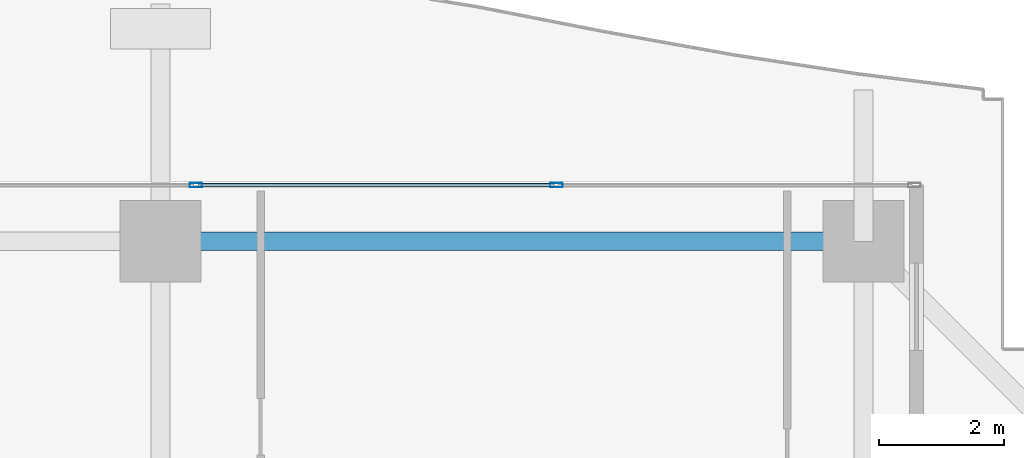
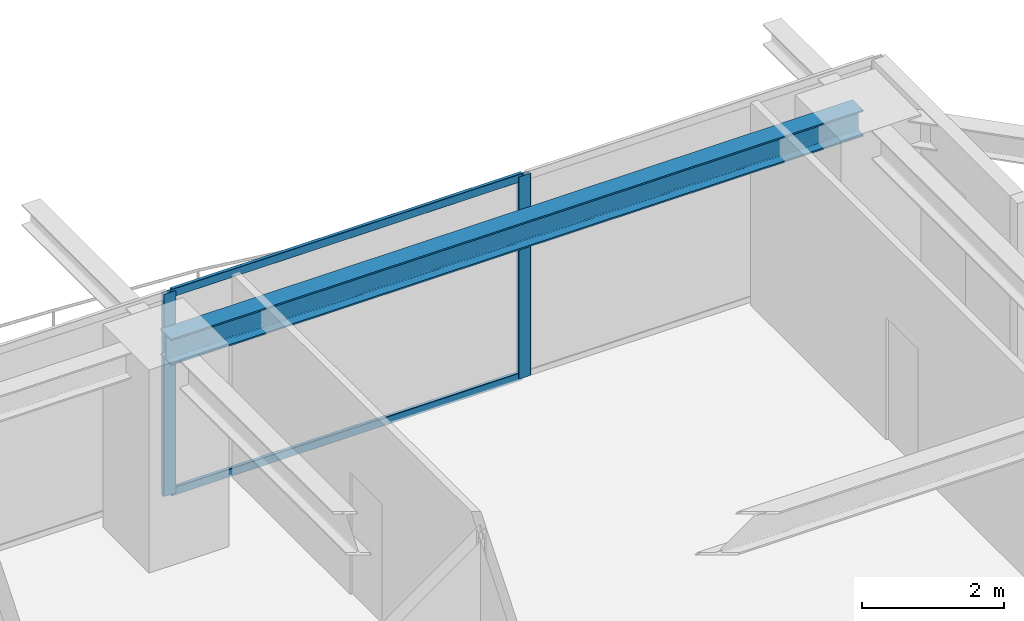
# One storey, part 23 of 38: 4 members, 1 beam, 1 element without a shape of its own.
"""IFC4 building model written with IfcOpenShell, lengths in metres."""

from ifc_helpers import new_model, si_unit, direction, frame, origin, origin_2d, place, context, subcontext, project, spatial, hollow_rectangle, i_section, extrude, source, transform, mapped, material, layer, layer_set, material_profile, profile_set, type_object, element, aggregate, save


model = new_model("IFC4")

# Units and contexts
model_context = context("Model", 3, precision=1e-05, world=origin(), true_north=direction((0.0, 1.0)))
body_context = subcontext(model_context, "Body", "Model", "MODEL_VIEW")
ifc_project = project(units=[si_unit("LENGTHUNIT", "METRE"), si_unit("AREAUNIT", "SQUARE_METRE"), si_unit("VOLUMEUNIT", "CUBIC_METRE"), si_unit("PLANEANGLEUNIT", "RADIAN"), si_unit("MASSUNIT", "GRAM", prefix="KILO")], contexts=[model_context])

# Site, building, storey
site_placement = place(None, origin())
site = spatial("IfcSite", under=ifc_project, at=site_placement, CompositionType="ELEMENT")
building_placement = place(site_placement, origin())
building = spatial("IfcBuilding", under=site, at=building_placement, Name="Serunith Strait Residences", CompositionType="ELEMENT")
storey_placement = place(building_placement, frame((0.0, 0.0, 120.14990234375)))
storey = spatial("IfcBuildingStorey", under=building, at=storey_placement, Name="L29", CompositionType="ELEMENT", Elevation=120.14990234375)

# Beam
ifc_material_1 = material(Name="Steel S355J2", Category="steel")
ifc_material_profile_1 = material_profile(ifc_material_1, i_section(OverallWidth=0.300048828125, OverallDepth=0.449951171875, WebThickness=0.013916015625, FlangeThickness=0.02587890625, FilletRadius=0.027099609375, at=origin_2d()), Name="HEB 450")
ifc_profile_set_1 = profile_set([ifc_material_profile_1], Name="Steel S355J2")
beam_type = type_object("IfcBeamType", Name="BM-HEB450", PredefinedType="BEAM", material=ifc_profile_set_1)
shared_shape_1 = source(origin(), body_context, "Body", "SweptSolid", [
    extrude(i_section(OverallWidth=0.300048828125, OverallDepth=0.449951171875, WebThickness=0.013916015625, FlangeThickness=0.02587890625, FilletRadius=0.027099609375, at=origin_2d()), origin(), (0.0, 0.0, 1.0), 11.25),
])
beam_placement = place(storey_placement, frame((48.14990234375, 48.10009765625, 3.26220703125), z_axis=(-1.0, 0.0, 0.0), x_axis=(0.0, -1.0, 0.0)))
element("IfcBeam", 1, at=beam_placement, inside=storey, type_object=beam_type, Name="L29 Perimeter Ring Beam 09", PredefinedType="BEAM", context=body_context, shape_type="MappedRepresentation", body=[
    mapped(shared_shape_1, transform((0.0, 0.0, 0.0), scale=1.0)),
])

# Curtain wall, members
ifc_material_2 = material(Name="Pale-Champagne Anodised Aluminium", Category="aluminium")
ifc_layer = layer(ifc_material_2, 0.199951171875, Name="Pale-Champagne Anodised Aluminium")
ifc_layer_set = layer_set([ifc_layer], Name="Pale-Champagne Anodised Aluminium")
curtain_wall_type = type_object("IfcCurtainWallType", Name="CW-SYS2", PredefinedType="NOTDEFINED", material=ifc_layer_set)
curtain_wall_placement = place(storey_placement, origin())
curtain_wall = element("IfcCurtainWall", 2, at=curtain_wall_placement, inside=storey, type_object=curtain_wall_type, Name="L29 N Unitised Fritted Curtain Wall", PredefinedType="NOTDEFINED")
ifc_material_profile_2 = material_profile(ifc_material_2, hollow_rectangle(XDim=0.070068359375, YDim=0.199951171875, WallThickness=0.00390625, InnerFilletRadius=0.006103515625, OuterFilletRadius=0.010009765625, at=origin_2d()), Name="ALU 200x70x4")
ifc_profile_set_2 = profile_set([ifc_material_profile_2], Name="Pale-Champagne Anodised Aluminium")
member_type_1 = type_object("IfcMemberType", Name="CW-SYS2-MULL", PredefinedType="MULLION", material=ifc_profile_set_2)
shared_shape_2 = source(origin(), body_context, "Body", "SweptSolid", [
    extrude(hollow_rectangle(XDim=0.070068359375, YDim=0.199951171875, WallThickness=0.00390625, InnerFilletRadius=0.006103515625, OuterFilletRadius=0.010009765625, at=origin_2d()), origin(), (0.0, 0.0, 1.0), 3.47509765625),
])
member_1_placement = place(storey_placement, frame((43.2333984375, 49.0, 0.0), z_axis=(0.0, 0.0, 1.0), x_axis=(0.0, -1.0, 0.0)))
member_1 = element("IfcMember", 3, at=member_1_placement, type_object=member_type_1, Name="CW-2 mullion 2", PredefinedType="MULLION", context=body_context, shape_type="MappedRepresentation", body=[
    mapped(shared_shape_2, transform((0.0, 0.0, 0.0), scale=1.0)),
])
member_2_placement = place(storey_placement, frame((37.466552734375, 49.0, 0.0), z_axis=(0.0, 0.0, 1.0), x_axis=(0.0, -1.0, 0.0)))
member_2 = element("IfcMember", 4, at=member_2_placement, type_object=member_type_1, Name="CW-2 mullion 3", PredefinedType="MULLION", context=body_context, shape_type="MappedRepresentation", body=[
    mapped(shared_shape_2, transform((0.0, 0.0, 0.0), scale=1.0)),
])
ifc_material_profile_3 = material_profile(ifc_material_2, hollow_rectangle(XDim=0.06005859375, YDim=0.139892578125, WallThickness=0.00341796875, InnerFilletRadius=0.00537109375, OuterFilletRadius=0.0087890625, at=origin_2d()), Name="ALU 140x60x3.5")
ifc_profile_set_3 = profile_set([ifc_material_profile_3], Name="Pale-Champagne Anodised Aluminium")
member_type_2 = type_object("IfcMemberType", Name="CW-SYS2-TRAN", PredefinedType="USERDEFINED", material=ifc_profile_set_3)
shared_shape_3 = source(origin(), body_context, "Body", "SweptSolid", [
    extrude(hollow_rectangle(XDim=0.06005859375, YDim=0.139892578125, WallThickness=0.00341796875, InnerFilletRadius=0.00537109375, OuterFilletRadius=0.0087890625, at=origin_2d()), origin(), (0.0, 0.0, 1.0), 5.696533203125),
])
member_3_placement = place(storey_placement, frame((43.1982421875, 49.0, 0.030029296875), z_axis=(-1.0, 0.0, 0.0), x_axis=(0.0, -1.0, 0.0)))
member_3 = element("IfcMember", 5, at=member_3_placement, type_object=member_type_2, Name="CW-2 transom 2.1", ObjectType="TRANSOM", PredefinedType="USERDEFINED", context=body_context, shape_type="MappedRepresentation", body=[
    mapped(shared_shape_3, transform((0.0, 0.0, 0.0), scale=1.0)),
])
member_4_placement = place(storey_placement, frame((43.1982421875, 49.0, 3.445068359375), z_axis=(-1.0, 0.0, 0.0), x_axis=(0.0, -1.0, 0.0)))
member_4 = element("IfcMember", 6, at=member_4_placement, type_object=member_type_2, Name="CW-2 transom 2.2", ObjectType="TRANSOM", PredefinedType="USERDEFINED", context=body_context, shape_type="MappedRepresentation", body=[
    mapped(shared_shape_3, transform((0.0, 0.0, 0.0), scale=1.0)),
])
aggregate(curtain_wall, [member_1, member_2, member_3, member_4])

save(model, "model.ifc")
